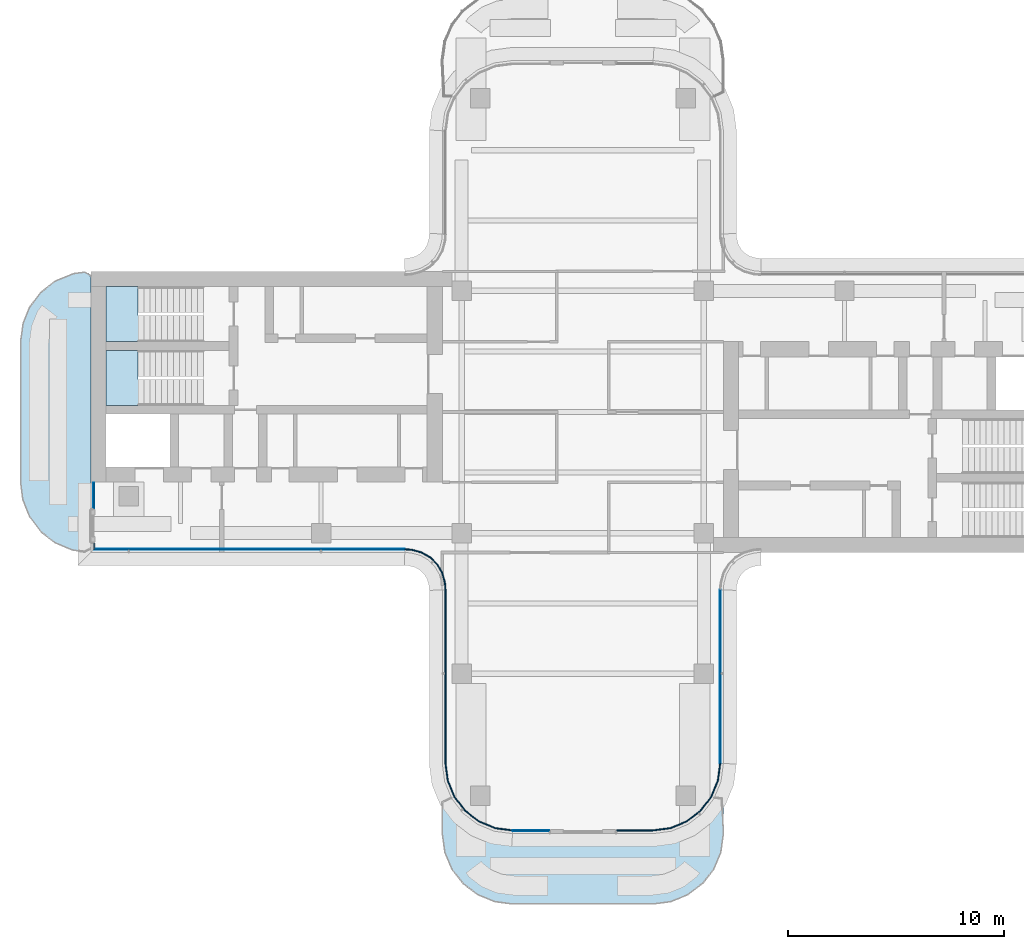
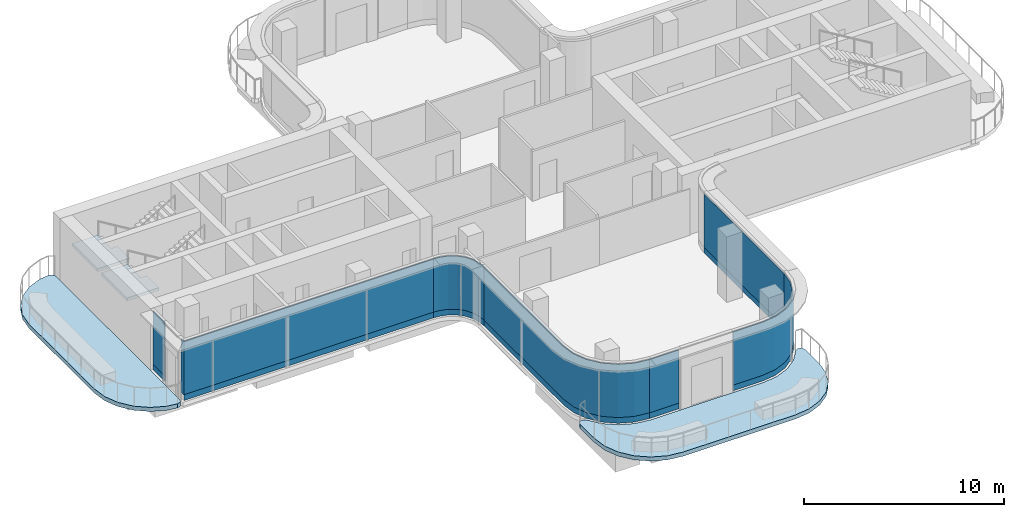
# One storey, part 9 of 18: 15 plates, 4 slabs, 10 elements without a shape of their own.
"""IFC4 building model written with IfcOpenShell, lengths in metres."""

from ifc_helpers import new_model, si_unit, direction, frame, origin, place, context, subcontext, project, spatial, polyline, outline, extrude, source, transform, mapped, material, layer, layer_set, type_object, element, aggregate, save


model = new_model("IFC4")

# Units and contexts
model_context = context("Model", 3, precision=1e-05, world=origin(), true_north=direction((0.0, 1.0)))
body_context = subcontext(model_context, "Body", "Model", "MODEL_VIEW")
ifc_project = project(units=[si_unit("LENGTHUNIT", "METRE"), si_unit("AREAUNIT", "SQUARE_METRE"), si_unit("VOLUMEUNIT", "CUBIC_METRE"), si_unit("PLANEANGLEUNIT", "RADIAN"), si_unit("MASSUNIT", "GRAM", prefix="KILO")], contexts=[model_context])

# Site, building, storey
site_placement = place(None, origin())
site = spatial("IfcSite", under=ifc_project, at=site_placement, CompositionType="ELEMENT")
building_placement = place(site_placement, origin())
building = spatial("IfcBuilding", under=site, at=building_placement, Name="Trellis Farm Tower", CompositionType="ELEMENT")
storey_placement = place(building_placement, frame((0.0, 0.0, 338.10009765625)))
storey = spatial("IfcBuildingStorey", under=building, at=storey_placement, Name="L76", CompositionType="ELEMENT", Elevation=338.10009765625)

# Curtain wall, plate
ifc_material_1 = material(Name="Aluminium and glass curtain wall", Category="aluminium")
ifc_layer_1 = layer(ifc_material_1, 0.176025390625)
ifc_layer_set_1 = layer_set([ifc_layer_1], Name="CROWN LANTERN CURTAIN WALL CW5")
curtain_wall_type = type_object("IfcCurtainWallType", Name="CROWN LANTERN CURTAIN WALL CW5", PredefinedType="NOTDEFINED", material=ifc_layer_set_1)
placement_1 = place(storey_placement, origin())
curtain_wall_1 = element("IfcCurtainWall", 1, at=placement_1, inside=storey, type_object=curtain_wall_type, Name="CW5 002", PredefinedType="NOTDEFINED")
ifc_material_2 = material(Name="Clear insulated glass", Category="glass")
ifc_layer_2 = layer(ifc_material_2, 0.055908203125)
ifc_layer_set_2 = layer_set([ifc_layer_2], Name="CW5 GLASS PANEL 56")
plate_type_1 = type_object("IfcPlateType", Name="CW5 GLASS PANEL 56", PredefinedType="CURTAIN_PANEL", material=ifc_layer_set_2)
placement_2 = place(storey_placement, frame((0.0, 0.0, 0.349853515625)))
plate_1 = element("IfcPlate", 2, at=placement_2, type_object=plate_type_1, Name="PL5 002", PredefinedType="CURTAIN_PANEL", context=body_context, shape_type="SweptSolid", body=[
    extrude(outline(polyline([(-3.2421875, -19.3798828125), (-1.56005859375, -19.3798828125), (-1.56005859375, -19.323974609375), (-3.238525390625, -19.323974609375), (-3.2421875, -19.3798828125)])), origin(), (0.0, 0.0, 1.0), 3.25),
])

curtain_wall_2 = element("IfcCurtainWall", 3, at=placement_1, inside=storey, type_object=curtain_wall_type, Name="CW5 003", PredefinedType="NOTDEFINED")
plate_2 = element("IfcPlate", 4, at=placement_2, type_object=plate_type_1, Name="PL5 003", PredefinedType="CURTAIN_PANEL", context=body_context, shape_type="SweptSolid", body=[
    extrude(outline(polyline([(1.56005859375, -19.3798828125), (3.2421875, -19.3798828125), (4.059814453125, -19.2724609375), (4.814453125, -18.959716796875), (5.46240234375, -18.46240234375), (5.959716796875, -17.814453125), (6.2724609375, -17.059814453125), (6.3798828125, -16.2421875), (6.323974609375, -16.238525390625), (6.2177734375, -17.045166015625), (5.910888671875, -17.7861328125), (5.422607421875, -18.422607421875), (4.7861328125, -18.910888671875), (4.045166015625, -19.2177734375), (3.238525390625, -19.323974609375), (1.56005859375, -19.323974609375), (1.56005859375, -19.3798828125)])), origin(), (0.0, 0.0, 1.0), 3.25),
])

curtain_wall_3 = element("IfcCurtainWall", 5, at=placement_1, inside=storey, type_object=curtain_wall_type, Name="CW5 015", PredefinedType="NOTDEFINED")
plate_3 = element("IfcPlate", 6, at=placement_2, type_object=plate_type_1, Name="PL5 015", PredefinedType="CURTAIN_PANEL", context=body_context, shape_type="SweptSolid", body=[
    extrude(outline(polyline([(-22.6298828125, -3.280029296875), (-22.6298828125, -4.4599609375), (-22.573974609375, -4.4599609375), (-22.573974609375, -3.280029296875), (-22.6298828125, -3.280029296875)])), origin(), (0.0, 0.0, 1.0), 3.25),
])

curtain_wall_4 = element("IfcCurtainWall", 7, at=placement_1, inside=storey, type_object=curtain_wall_type, Name="CW5 016", PredefinedType="NOTDEFINED")
plate_4 = element("IfcPlate", 8, at=placement_2, type_object=plate_type_1, Name="PL5 016", PredefinedType="CURTAIN_PANEL", context=body_context, shape_type="SweptSolid", body=[
    extrude(outline(polyline([(-22.6298828125, -6.080078125), (-22.6298828125, -6.3798828125), (-22.573974609375, -6.323974609375), (-22.573974609375, -6.080078125), (-22.6298828125, -6.080078125)])), origin(), (0.0, 0.0, 1.0), 3.25),
])
aggregate(curtain_wall_4, [plate_4])

# Plate
ifc_material_3 = material(Name="Sandstone faced insulated panel", Category="masonry")
ifc_layer_3 = layer(ifc_material_3, 0.044921875)
ifc_layer_set_3 = layer_set([ifc_layer_3], Name="CW5 STONE SPANDREL PANEL 45")
plate_type_2 = type_object("IfcPlateType", Name="CW5 STONE SPANDREL PANEL 45", PredefinedType="CURTAIN_PANEL", material=ifc_layer_set_3)
plate_5 = element("IfcPlate", 9, at=placement_1, type_object=plate_type_2, Name="PS5 002", PredefinedType="CURTAIN_PANEL", context=body_context, shape_type="SweptSolid", body=[
    extrude(outline(polyline([(-3.2421875, -19.3798828125), (-1.56005859375, -19.3798828125), (-1.56005859375, -19.3349609375), (-3.2392578125, -19.3349609375), (-3.2421875, -19.3798828125)])), origin(), (0.0, 0.0, 1.0), 0.349853515625),
])

aggregate(curtain_wall_1, [plate_1, plate_5])

plate_6 = element("IfcPlate", 10, at=placement_1, type_object=plate_type_2, Name="PS5 003", PredefinedType="CURTAIN_PANEL", context=body_context, shape_type="SweptSolid", body=[
    extrude(outline(polyline([(1.56005859375, -19.3798828125), (3.2421875, -19.3798828125), (4.059814453125, -19.2724609375), (4.814453125, -18.959716796875), (5.46240234375, -18.46240234375), (5.959716796875, -17.814453125), (6.2724609375, -17.059814453125), (6.3798828125, -16.2421875), (6.3349609375, -16.2392578125), (6.228515625, -17.048095703125), (5.92041015625, -17.791748046875), (5.430419921875, -18.430419921875), (4.791748046875, -18.92041015625), (4.048095703125, -19.228515625), (3.2392578125, -19.3349609375), (1.56005859375, -19.3349609375), (1.56005859375, -19.3798828125)])), origin(), (0.0, 0.0, 1.0), 0.349853515625),
])

aggregate(curtain_wall_2, [plate_2, plate_6])

plate_7 = element("IfcPlate", 11, at=placement_1, type_object=plate_type_2, Name="PS5 015", PredefinedType="CURTAIN_PANEL", context=body_context, shape_type="SweptSolid", body=[
    extrude(outline(polyline([(-22.6298828125, -3.280029296875), (-22.6298828125, -4.4599609375), (-22.5849609375, -4.4599609375), (-22.5849609375, -3.280029296875), (-22.6298828125, -3.280029296875)])), origin(), (0.0, 0.0, 1.0), 0.349853515625),
])

aggregate(curtain_wall_3, [plate_3, plate_7])

# Slabs
ifc_material_4 = material(Name="Concrete C40/50", Category="concrete")
ifc_layer_4 = layer(ifc_material_4, 0.25)
ifc_layer_set_4 = layer_set([ifc_layer_4], Name="Terrace slab on composite deck 250")
slab_type_1 = type_object("IfcSlabType", Name="Terrace slab on composite deck 250", PredefinedType="FLOOR", material=ifc_layer_set_4)
placement_3 = place(storey_placement, frame((0.0, 0.0, -0.25)))
element("IfcSlab", 12, at=placement_3, inside=storey, type_object=slab_type_1, Name="Terrace slab", PredefinedType="FLOOR", context=body_context, shape_type="SweptSolid", body=[
    extrude(outline(polyline([(-24.344482421875, -6.0771484375), (-24.401123046875, -6.04443359375), (-25.02197265625, -5.568115234375), (-25.068115234375, -5.52197265625), (-25.54443359375, -4.901123046875), (-25.5771484375, -4.844482421875), (-25.876708984375, -4.12158203125), (-25.8935546875, -4.05859375), (-25.997802734375, -3.26611328125), (-26.0, -3.233642578125), (-26.0, 3.233642578125), (-25.997802734375, 3.26611328125), (-25.8935546875, 4.05859375), (-25.876708984375, 4.12158203125), (-25.5771484375, 4.844482421875), (-25.54443359375, 4.901123046875), (-25.068115234375, 5.52197265625), (-25.02197265625, 5.568115234375), (-24.401123046875, 6.04443359375), (-24.344482421875, 6.0771484375), (-23.62158203125, 6.376708984375), (-23.55859375, 6.3935546875), (-23.03271484375, 6.462890625), (-22.835205078125, 6.40283203125), (-22.75048828125, 6.21630859375), (-22.75048828125, -6.21630859375), (-22.835205078125, -6.40283203125), (-23.03271484375, -6.462890625), (-23.55859375, -6.3935546875), (-23.62158203125, -6.376708984375), (-24.344482421875, -6.0771484375)])), origin(), (0.0, 0.0, 1.0), 0.25),
])
element("IfcSlab", 13, at=placement_3, inside=storey, type_object=slab_type_1, Name="Terrace slab", PredefinedType="FLOOR", context=body_context, shape_type="SweptSolid", body=[
    extrude(outline(polyline([(-6.228271484375, -17.794921875), (-6.052978515625, -17.89111328125), (-5.548583984375, -18.548583984375), (-4.875244140625, -19.065185546875), (-4.09130859375, -19.389892578125), (-3.25, -19.50048828125), (3.25, -19.50048828125), (4.09130859375, -19.389892578125), (4.875244140625, -19.065185546875), (5.548583984375, -18.548583984375), (6.052978515625, -17.89111328125), (6.228271484375, -17.794921875), (6.4189453125, -17.859619140625), (6.5, -18.0439453125), (6.5, -19.483642578125), (6.497802734375, -19.51611328125), (6.3935546875, -20.30859375), (6.376708984375, -20.37158203125), (6.0771484375, -21.094482421875), (6.04443359375, -21.151123046875), (5.568115234375, -21.77197265625), (5.52197265625, -21.818115234375), (4.901123046875, -22.29443359375), (4.844482421875, -22.3271484375), (4.12158203125, -22.626708984375), (4.05859375, -22.6435546875), (3.26611328125, -22.747802734375), (3.233642578125, -22.75), (-3.233642578125, -22.75), (-3.26611328125, -22.747802734375), (-4.05859375, -22.6435546875), (-4.12158203125, -22.626708984375), (-4.844482421875, -22.3271484375), (-4.901123046875, -22.29443359375), (-5.52197265625, -21.818115234375), (-5.568115234375, -21.77197265625), (-6.04443359375, -21.151123046875), (-6.0771484375, -21.094482421875), (-6.376708984375, -20.37158203125), (-6.3935546875, -20.30859375), (-6.497802734375, -19.51611328125), (-6.5, -19.483642578125), (-6.5, -18.0439453125), (-6.4189453125, -17.859619140625), (-6.228271484375, -17.794921875)])), origin(), (0.0, 0.0, 1.0), 0.25),
])

# Stair, slab
ifc_material_5 = material(Name="Concrete C50/60", Category="concrete")
stair_type = type_object("IfcStairType", Name="CORE EXIT STAIR 24 RISERS 167 MM", PredefinedType="HALF_TURN_STAIR", material=ifc_material_5)
stair_1 = element("IfcStair", 14, at=placement_1, inside=storey, type_object=stair_type, Name="Exit stair W1", PredefinedType="HALF_TURN_STAIR")
ifc_layer_5 = layer(ifc_material_5, 0.179931640625)
ifc_layer_set_5 = layer_set([ifc_layer_5], Name="CORE STAIR LANDING 180 CONCRETE C50/60")
slab_type_2 = type_object("IfcSlabType", Name="CORE STAIR LANDING 180 CONCRETE C50/60", PredefinedType="LANDING", material=ifc_layer_set_5)
shared_shape_1 = source(origin(), body_context, "Body", "SweptSolid", [
    extrude(outline(polyline([(-20.21240234375, 4.449951171875), (-20.21240234375, 3.25), (-20.574951171875, 3.25), (-22.050048828125, 3.25), (-22.050048828125, 5.800048828125), (-20.574951171875, 5.800048828125), (-20.56494140625, 5.800048828125), (-20.56494140625, 4.60009765625), (-20.574951171875, 4.60009765625), (-20.574951171875, 4.449951171875), (-20.21240234375, 4.449951171875)])), origin(), (0.0, 0.0, 1.0), 0.18017578125),
])
placement_4 = place(storey_placement, frame((0.0, 0.0, 1.81982421875)))
slab_3 = element("IfcSlab", 15, at=placement_4, type_object=slab_type_2, Name="STW1 landing 1", PredefinedType="LANDING", context=body_context, shape_type="MappedRepresentation", body=[
    mapped(shared_shape_1, transform((0.0, 0.0, 0.0))),
])
aggregate(stair_1, [slab_3])

stair_2 = element("IfcStair", 16, at=placement_1, inside=storey, type_object=stair_type, Name="Exit stair W2", PredefinedType="HALF_TURN_STAIR")
shared_shape_2 = source(origin(), body_context, "Body", "SweptSolid", [
    extrude(outline(polyline([(-20.21240234375, 1.5), (-20.21240234375, 0.300048828125), (-20.574951171875, 0.300048828125), (-22.050048828125, 0.300048828125), (-22.050048828125, 2.85009765625), (-20.574951171875, 2.85009765625), (-20.56494140625, 2.85009765625), (-20.56494140625, 1.64990234375), (-20.574951171875, 1.64990234375), (-20.574951171875, 1.5), (-20.21240234375, 1.5)])), origin(), (0.0, 0.0, 1.0), 0.18017578125),
])
slab_4 = element("IfcSlab", 17, at=placement_4, type_object=slab_type_2, Name="STW2 landing 1", PredefinedType="LANDING", context=body_context, shape_type="MappedRepresentation", body=[
    mapped(shared_shape_2, transform((0.0, 0.0, 0.0))),
])
aggregate(stair_2, [slab_4])

# Curtain wall, plates
curtain_wall_5 = element("IfcCurtainWall", 18, at=placement_1, inside=storey, type_object=curtain_wall_type, Name="CW5 001", PredefinedType="NOTDEFINED")
shared_shape_3 = source(origin(), body_context, "Body", "SweptSolid", [
    extrude(outline(polyline([(-6.3798828125, -8.2275390625), (-6.3798828125, -16.2421875), (-6.2724609375, -17.059814453125), (-5.959716796875, -17.814453125), (-5.46240234375, -18.46240234375), (-4.814453125, -18.959716796875), (-4.059814453125, -19.2724609375), (-3.2421875, -19.3798828125), (-3.238525390625, -19.323974609375), (-4.045166015625, -19.2177734375), (-4.7861328125, -18.910888671875), (-5.422607421875, -18.422607421875), (-5.910888671875, -17.7861328125), (-6.2177734375, -17.045166015625), (-6.323974609375, -16.238525390625), (-6.323974609375, -8.2255859375), (-6.3798828125, -8.2275390625)])), origin(), (0.0, 0.0, 1.0), 3.25),
])
plate_8 = element("IfcPlate", 19, at=placement_2, type_object=plate_type_1, Name="PL5 001", PredefinedType="CURTAIN_PANEL", context=body_context, shape_type="MappedRepresentation", body=[
    mapped(shared_shape_3, transform((0.0, 0.0, 0.0))),
])
shared_shape_4 = source(origin(), body_context, "Body", "SweptSolid", [
    extrude(outline(polyline([(-6.3798828125, -8.2275390625), (-6.3798828125, -16.2421875), (-6.2724609375, -17.059814453125), (-5.959716796875, -17.814453125), (-5.46240234375, -18.46240234375), (-4.814453125, -18.959716796875), (-4.059814453125, -19.2724609375), (-3.2421875, -19.3798828125), (-3.2392578125, -19.3349609375), (-4.048095703125, -19.228515625), (-4.791748046875, -18.92041015625), (-5.430419921875, -18.430419921875), (-5.92041015625, -17.791748046875), (-6.228515625, -17.048095703125), (-6.3349609375, -16.2392578125), (-6.3349609375, -8.22607421875), (-6.3798828125, -8.2275390625)])), origin(), (0.0, 0.0, 1.0), 0.349853515625),
])
plate_9 = element("IfcPlate", 20, at=placement_1, type_object=plate_type_2, Name="PS5 001", PredefinedType="CURTAIN_PANEL", context=body_context, shape_type="MappedRepresentation", body=[
    mapped(shared_shape_4, transform((0.0, 0.0, 0.0))),
])
aggregate(curtain_wall_5, [plate_8, plate_9])

curtain_wall_6 = element("IfcCurtainWall", 21, at=placement_1, inside=storey, type_object=curtain_wall_type, Name="CW5 004", PredefinedType="NOTDEFINED")
shared_shape_5 = source(origin(), body_context, "Body", "SweptSolid", [
    extrude(outline(polyline([(6.3798828125, -16.2421875), (6.3798828125, -8.2275390625), (6.323974609375, -8.2255859375), (6.323974609375, -16.238525390625), (6.3798828125, -16.2421875)])), origin(), (0.0, 0.0, 1.0), 3.25),
])
plate_10 = element("IfcPlate", 22, at=placement_2, type_object=plate_type_1, Name="PL5 004", PredefinedType="CURTAIN_PANEL", context=body_context, shape_type="MappedRepresentation", body=[
    mapped(shared_shape_5, transform((0.0, 0.0, 0.0))),
])
shared_shape_6 = source(origin(), body_context, "Body", "SweptSolid", [
    extrude(outline(polyline([(6.3798828125, -16.2421875), (6.3798828125, -8.2275390625), (6.3349609375, -8.22607421875), (6.3349609375, -16.2392578125), (6.3798828125, -16.2421875)])), origin(), (0.0, 0.0, 1.0), 0.349853515625),
])
plate_11 = element("IfcPlate", 23, at=placement_1, type_object=plate_type_2, Name="PS5 004", PredefinedType="CURTAIN_PANEL", context=body_context, shape_type="MappedRepresentation", body=[
    mapped(shared_shape_6, transform((0.0, 0.0, 0.0))),
])
aggregate(curtain_wall_6, [plate_10, plate_11])

curtain_wall_7 = element("IfcCurtainWall", 24, at=placement_1, inside=storey, type_object=curtain_wall_type, Name="CW5 017", PredefinedType="NOTDEFINED")
shared_shape_7 = source(origin(), body_context, "Body", "SweptSolid", [
    extrude(outline(polyline([(-22.6298828125, -6.3798828125), (-8.2275390625, -6.3798828125), (-8.2255859375, -6.323974609375), (-22.573974609375, -6.323974609375), (-22.6298828125, -6.3798828125)])), origin(), (0.0, 0.0, 1.0), 3.25),
])
plate_12 = element("IfcPlate", 25, at=placement_2, type_object=plate_type_1, Name="PL5 017", PredefinedType="CURTAIN_PANEL", context=body_context, shape_type="MappedRepresentation", body=[
    mapped(shared_shape_7, transform((0.0, 0.0, 0.0))),
])
shared_shape_8 = source(origin(), body_context, "Body", "SweptSolid", [
    extrude(outline(polyline([(-22.6298828125, -6.3798828125), (-8.2275390625, -6.3798828125), (-8.22607421875, -6.3349609375), (-22.5849609375, -6.3349609375), (-22.6298828125, -6.3798828125)])), origin(), (0.0, 0.0, 1.0), 0.349853515625),
])
plate_13 = element("IfcPlate", 26, at=placement_1, type_object=plate_type_2, Name="PS5 017", PredefinedType="CURTAIN_PANEL", context=body_context, shape_type="MappedRepresentation", body=[
    mapped(shared_shape_8, transform((0.0, 0.0, 0.0))),
])
aggregate(curtain_wall_7, [plate_12, plate_13])

curtain_wall_8 = element("IfcCurtainWall", 27, at=placement_1, inside=storey, type_object=curtain_wall_type, Name="CW5 018", PredefinedType="NOTDEFINED")
shared_shape_9 = source(origin(), body_context, "Body", "SweptSolid", [
    extrude(outline(polyline([(-8.2275390625, -6.3798828125), (-8.0078125, -6.394287109375), (-7.89208984375, -6.40966796875), (-7.462158203125, -6.52490234375), (-7.070556640625, -6.7509765625), (-6.7509765625, -7.070556640625), (-6.52490234375, -7.462158203125), (-6.40966796875, -7.89208984375), (-6.394287109375, -8.0078125), (-6.3798828125, -8.2275390625), (-6.323974609375, -8.2255859375), (-6.338623046875, -8.002197265625), (-6.3544921875, -7.881103515625), (-6.47265625, -7.440673828125), (-6.7060546875, -7.0361328125), (-7.0361328125, -6.7060546875), (-7.440673828125, -6.47265625), (-7.881103515625, -6.3544921875), (-8.002197265625, -6.338623046875), (-8.2255859375, -6.323974609375), (-8.2275390625, -6.3798828125)])), origin(), (0.0, 0.0, 1.0), 3.25),
])
plate_14 = element("IfcPlate", 28, at=placement_2, type_object=plate_type_1, Name="PL5 018", PredefinedType="CURTAIN_PANEL", context=body_context, shape_type="MappedRepresentation", body=[
    mapped(shared_shape_9, transform((0.0, 0.0, 0.0))),
])
shared_shape_10 = source(origin(), body_context, "Body", "SweptSolid", [
    extrude(outline(polyline([(-8.2275390625, -6.3798828125), (-8.0078125, -6.394287109375), (-7.89208984375, -6.40966796875), (-7.462158203125, -6.52490234375), (-7.070556640625, -6.7509765625), (-6.7509765625, -7.070556640625), (-6.52490234375, -7.462158203125), (-6.40966796875, -7.89208984375), (-6.394287109375, -8.0078125), (-6.3798828125, -8.2275390625), (-6.3349609375, -8.22607421875), (-6.349609375, -8.00341796875), (-6.365478515625, -7.88330078125), (-6.48291015625, -7.44482421875), (-6.71484375, -7.04296875), (-7.04296875, -6.71484375), (-7.44482421875, -6.48291015625), (-7.88330078125, -6.365478515625), (-8.00341796875, -6.349609375), (-8.22607421875, -6.3349609375), (-8.2275390625, -6.3798828125)])), origin(), (0.0, 0.0, 1.0), 0.349853515625),
])
plate_15 = element("IfcPlate", 29, at=placement_1, type_object=plate_type_2, Name="PS5 018", PredefinedType="CURTAIN_PANEL", context=body_context, shape_type="MappedRepresentation", body=[
    mapped(shared_shape_10, transform((0.0, 0.0, 0.0))),
])
aggregate(curtain_wall_8, [plate_14, plate_15])

save(model, "model.ifc")
